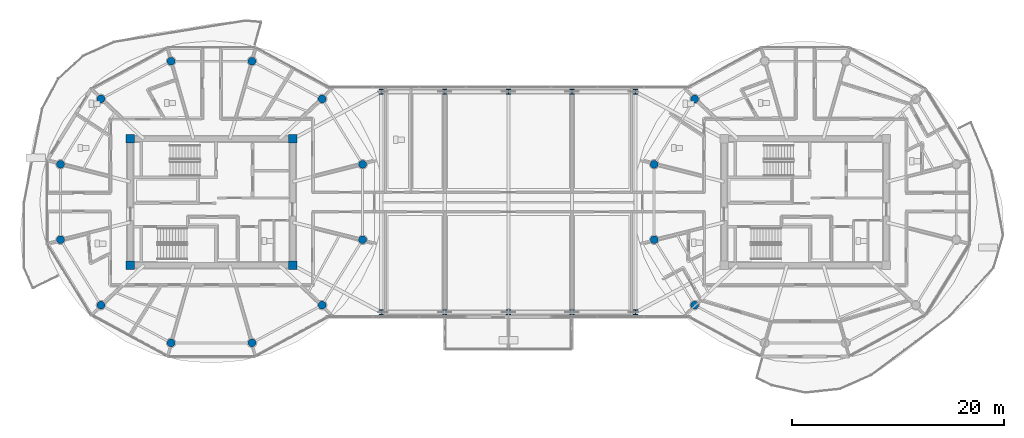
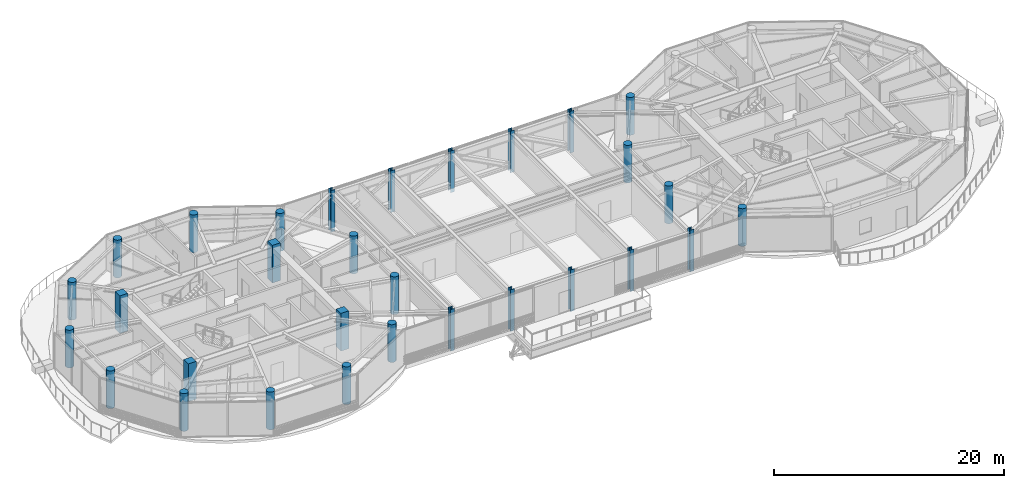
# One storey, part 1 of 31: 30 columns.
"""IFC4 building model written with IfcOpenShell, lengths in metres."""

from ifc_helpers import new_model, si_unit, direction, frame, origin, origin_2d, place, context, subcontext, project, spatial, rectangle, circle, i_section, extrude, source, transform, mapped, material, material_profile, profile_set, type_object, type_shapes, element, save


model = new_model("IFC4")

# Units and contexts
model_context = context("Model", 3, precision=1e-05, world=origin(), true_north=direction((0.0, 1.0)))
body_context = subcontext(model_context, "Body", "Model", "MODEL_VIEW")
ifc_project = project(units=[si_unit("LENGTHUNIT", "METRE"), si_unit("AREAUNIT", "SQUARE_METRE"), si_unit("VOLUMEUNIT", "CUBIC_METRE"), si_unit("PLANEANGLEUNIT", "RADIAN"), si_unit("MASSUNIT", "GRAM", prefix="KILO")], contexts=[model_context])

# Site, building, storey
site_placement = place(None, origin())
site = spatial("IfcSite", under=ifc_project, at=site_placement, CompositionType="ELEMENT")
building_placement = place(site_placement, origin())
building = spatial("IfcBuilding", under=site, at=building_placement, Name="Norrkilde Senior Care Towers", CompositionType="ELEMENT")
storey_placement = place(building_placement, frame((0.0, 0.0, 199.800048828125)))
storey = spatial("IfcBuildingStorey", under=building, at=storey_placement, Name="L62", CompositionType="ELEMENT", Elevation=199.800048828125)

# Columns
ifc_material_1 = material(Name="Concrete C60/75", Category="concrete")
ifc_material_profile_1 = material_profile(ifc_material_1, rectangle(XDim=0.800048828125, YDim=0.800048828125, at=origin_2d()), Name="RC COL 800x800")
ifc_profile_set_1 = profile_set([ifc_material_profile_1], Name="Concrete C60/75")
column_type_1 = type_object("IfcColumnType", Name="Column Core Corner Z3-Z4 800", PredefinedType="COLUMN", material=ifc_profile_set_1)
shared_shape_1 = source(origin(), body_context, "Body", "SweptSolid", [
    extrude(rectangle(XDim=0.800048828125, YDim=0.800048828125, at=origin_2d()), origin(), (0.0, 0.0, 1.0), 4.0),
])
type_shapes(column_type_1, [shared_shape_1])
for number, where, z_axis, x_axis, name in (
    (1, (-35.64990234375, -5.949951171875, 0.0), (0.0, 0.0, 1.0), (1.0, 0.0, 0.0), "L62 Core W Corner Column 1"),
    (2, (-20.35009765625, -5.949951171875, 0.0), (0.0, 0.0, 1.0), (1.0, 0.0, 0.0), "L62 Core W Corner Column 2"),
    (3, (-20.35009765625, 5.949951171875, 0.0), (0.0, 0.0, 1.0), (1.0, 0.0, 0.0), "L62 Core W Corner Column 3"),
    (4, (-35.64990234375, 5.949951171875, 0.0), (0.0, 0.0, 1.0), (1.0, 0.0, 0.0), "L62 Core W Corner Column 4"),
):
    element("IfcColumn", number, at=place(storey_placement, frame(where, z_axis=z_axis, x_axis=x_axis)), inside=storey, type_object=column_type_1, Name=name, PredefinedType="COLUMN", context=body_context, shape_type="MappedRepresentation", body=[
        mapped(shared_shape_1, transform((0.0, 0.0, 0.0), x_axis=(1.0, 0.0, 0.0), y_axis=(0.0, 1.0, 0.0), z_axis=(0.0, 0.0, 1.0), scale=1.0)),
    ])
ifc_material_2 = material(Name="Concrete C50/60", Category="concrete")
ifc_material_profile_2 = material_profile(ifc_material_2, circle(Radius=0.375, at=origin_2d()), Name="RC CIR 750")
ifc_profile_set_2 = profile_set([ifc_material_profile_2], Name="Concrete C50/60")
column_type_2 = type_object("IfcColumnType", Name="Column Perimeter Z4 750", PredefinedType="COLUMN", material=ifc_profile_set_2)
shared_shape_2 = source(origin(), body_context, "Body", "SweptSolid", [
    extrude(circle(Radius=0.375, at=origin_2d()), origin(), (0.0, 0.0, 1.0), 4.0),
])
type_shapes(column_type_2, [shared_shape_2])
for number, where, z_axis, x_axis, name in (
    (5, (-13.752685546875, 3.558837890625, 0.0), (0.0, 0.0, 1.0), (1.0, 0.0, 0.0), "L62 Drum W Perimeter Column 01"),
    (6, (-17.570068359375, 9.72265625, 0.0), (0.0, 0.0, 1.0), (1.0, 0.0, 0.0), "L62 Drum W Perimeter Column 02"),
    (7, (-24.182373046875, 13.281494140625, 0.0), (0.0, 0.0, 1.0), (1.0, 0.0, 0.0), "L62 Drum W Perimeter Column 03"),
    (8, (-31.817626953125, 13.281494140625, 0.0), (0.0, 0.0, 1.0), (1.0, 0.0, 0.0), "L62 Drum W Perimeter Column 04"),
    (9, (-38.429931640625, 9.72265625, 0.0), (0.0, 0.0, 1.0), (1.0, 0.0, 0.0), "L62 Drum W Perimeter Column 05"),
    (10, (-42.247314453125, 3.558837890625, 0.0), (0.0, 0.0, 1.0), (1.0, 0.0, 0.0), "L62 Drum W Perimeter Column 06"),
    (11, (-42.247314453125, -3.558837890625, 0.0), (0.0, 0.0, 1.0), (1.0, 0.0, 0.0), "L62 Drum W Perimeter Column 07"),
    (12, (-38.429931640625, -9.72265625, 0.0), (0.0, 0.0, 1.0), (1.0, 0.0, 0.0), "L62 Drum W Perimeter Column 08"),
    (13, (-31.817626953125, -13.281494140625, 0.0), (0.0, 0.0, 1.0), (1.0, 0.0, 0.0), "L62 Drum W Perimeter Column 09"),
    (14, (-24.182373046875, -13.281494140625, 0.0), (0.0, 0.0, 1.0), (1.0, 0.0, 0.0), "L62 Drum W Perimeter Column 10"),
    (15, (-17.570068359375, -9.72265625, 0.0), (0.0, 0.0, 1.0), (1.0, 0.0, 0.0), "L62 Drum W Perimeter Column 11"),
    (16, (-13.752685546875, -3.558837890625, 0.0), (0.0, 0.0, 1.0), (1.0, 0.0, 0.0), "L62 Drum W Perimeter Column 12"),
    (17, (17.570068359375, 9.72265625, 0.0), (0.0, 0.0, 1.0), (1.0, 0.0, 0.0), "L62 Drum E Perimeter Column 05"),
    (18, (13.752685546875, 3.558837890625, 0.0), (0.0, 0.0, 1.0), (1.0, 0.0, 0.0), "L62 Drum E Perimeter Column 06"),
    (19, (13.752685546875, -3.558837890625, 0.0), (0.0, 0.0, 1.0), (1.0, 0.0, 0.0), "L62 Drum E Perimeter Column 07"),
    (20, (17.570068359375, -9.72265625, 0.0), (0.0, 0.0, 1.0), (1.0, 0.0, 0.0), "L62 Drum E Perimeter Column 08"),
):
    element("IfcColumn", number, at=place(storey_placement, frame(where, z_axis=z_axis, x_axis=x_axis)), inside=storey, type_object=column_type_2, Name=name, PredefinedType="COLUMN", context=body_context, shape_type="MappedRepresentation", body=[
        mapped(shared_shape_2, transform((0.0, 0.0, 0.0), x_axis=(1.0, 0.0, 0.0), y_axis=(0.0, 1.0, 0.0), z_axis=(0.0, 0.0, 1.0), scale=1.0)),
    ])
ifc_material_3 = material(Name="Steel S355", Category="steel")
ifc_material_profile_3 = material_profile(ifc_material_3, i_section(OverallWidth=0.406982421875, OverallDepth=0.43505859375, WebThickness=0.02392578125, FlangeThickness=0.0390625, FilletRadius=0.014892578125, at=origin_2d()), Name="HD 400x421")
ifc_profile_set_3 = profile_set([ifc_material_profile_3], Name="Steel S355")
column_type_3 = type_object("IfcColumnType", Name="Column Bridge Frame HD400", PredefinedType="COLUMN", material=ifc_profile_set_3)
shared_shape_3 = source(origin(), body_context, "Body", "SweptSolid", [
    extrude(i_section(OverallWidth=0.406982421875, OverallDepth=0.43505859375, WebThickness=0.02392578125, FlangeThickness=0.0390625, FilletRadius=0.014892578125, at=origin_2d()), origin(), (0.0, 0.0, 1.0), 4.420166015625),
])
type_shapes(column_type_3, [shared_shape_3])
for number, where, z_axis, x_axis, name in (
    (21, (-12.0, -10.39990234375, -0.420166015625), (0.0, 0.0, 1.0), (1.0, 0.0, 0.0), "L62 Sky-Gate Bridge Column -12.1"),
    (22, (-12.0, 10.39990234375, -0.420166015625), (0.0, 0.0, 1.0), (1.0, 0.0, 0.0), "L62 Sky-Gate Bridge Column -12.2"),
    (23, (-6.0, -10.39990234375, -0.420166015625), (0.0, 0.0, 1.0), (1.0, 0.0, 0.0), "L62 Sky-Gate Bridge Column -6.1"),
    (24, (-6.0, 10.39990234375, -0.420166015625), (0.0, 0.0, 1.0), (1.0, 0.0, 0.0), "L62 Sky-Gate Bridge Column -6.2"),
    (25, (0.0, -10.39990234375, -0.420166015625), (0.0, 0.0, 1.0), (1.0, 0.0, 0.0), "L62 Sky-Gate Bridge Column +0.1"),
    (26, (0.0, 10.39990234375, -0.420166015625), (0.0, 0.0, 1.0), (1.0, 0.0, 0.0), "L62 Sky-Gate Bridge Column +0.2"),
    (27, (6.0, -10.39990234375, -0.420166015625), (0.0, 0.0, 1.0), (1.0, 0.0, 0.0), "L62 Sky-Gate Bridge Column +6.1"),
    (28, (6.0, 10.39990234375, -0.420166015625), (0.0, 0.0, 1.0), (1.0, 0.0, 0.0), "L62 Sky-Gate Bridge Column +6.2"),
    (29, (12.0, -10.39990234375, -0.420166015625), (0.0, 0.0, 1.0), (1.0, 0.0, 0.0), "L62 Sky-Gate Bridge Column +12.1"),
    (30, (12.0, 10.39990234375, -0.420166015625), (0.0, 0.0, 1.0), (1.0, 0.0, 0.0), "L62 Sky-Gate Bridge Column +12.2"),
):
    element("IfcColumn", number, at=place(storey_placement, frame(where, z_axis=z_axis, x_axis=x_axis)), inside=storey, type_object=column_type_3, Name=name, PredefinedType="COLUMN", context=body_context, shape_type="MappedRepresentation", body=[
        mapped(shared_shape_3, transform((0.0, 0.0, 0.0), x_axis=(1.0, 0.0, 0.0), y_axis=(0.0, 1.0, 0.0), z_axis=(0.0, 0.0, 1.0), scale=1.0)),
    ])

save(model, "model.ifc")
